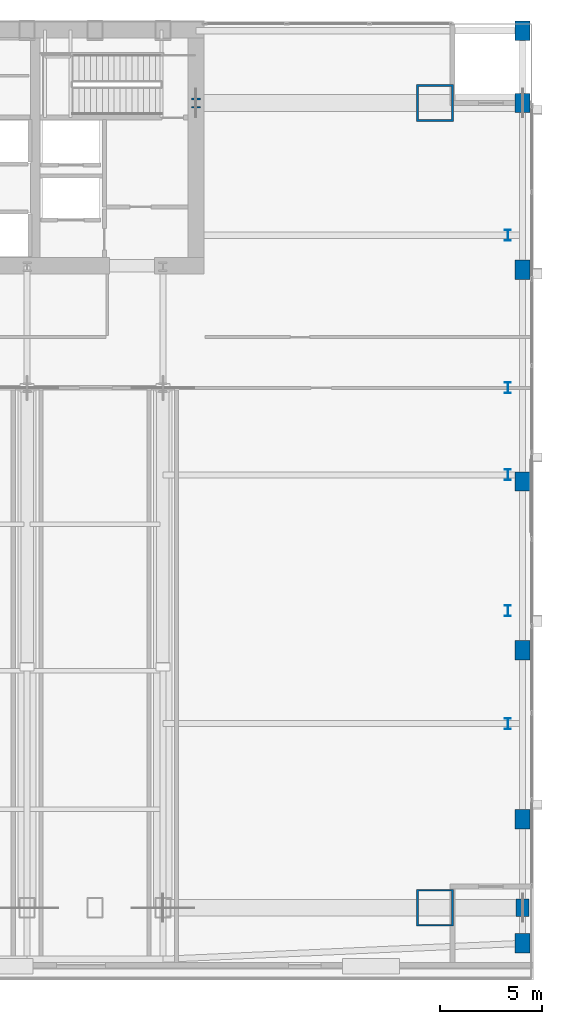
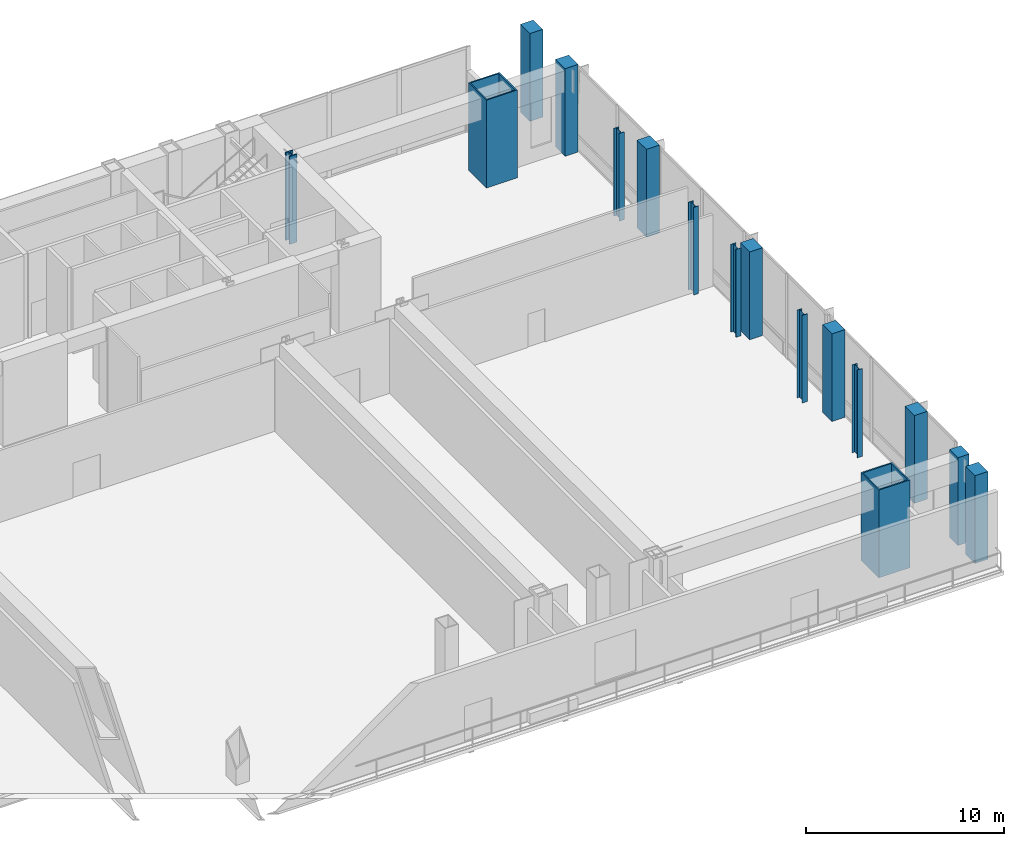
# One storey, part 4 of 26: 16 columns.
"""IFC4 building model written with IfcOpenShell, lengths in metres."""

from ifc_helpers import new_model, si_unit, direction, frame, origin, origin_2d, place, context, subcontext, project, spatial, rectangle, hollow_rectangle, i_section, extrude, material, material_profile, profile_set, type_object, element, save


model = new_model("IFC4")

# Units and contexts
model_context = context("Model", 3, precision=1e-05, world=origin(), true_north=direction((0.0, 1.0)))
body_context = subcontext(model_context, "Body", "Model", "MODEL_VIEW")
ifc_project = project(units=[si_unit("LENGTHUNIT", "METRE"), si_unit("AREAUNIT", "SQUARE_METRE"), si_unit("VOLUMEUNIT", "CUBIC_METRE"), si_unit("PLANEANGLEUNIT", "RADIAN"), si_unit("MASSUNIT", "GRAM", prefix="KILO")], contexts=[model_context])

# Site, building, storey
site_placement = place(None, origin())
site = spatial("IfcSite", under=ifc_project, at=site_placement, CompositionType="ELEMENT")
building_placement = place(site_placement, origin())
building = spatial("IfcBuilding", under=site, at=building_placement, Name="Khoronbel Lancet Exchange", CompositionType="ELEMENT")
storey_placement = place(building_placement, frame((0.0, 0.0, 20.39990234375)))
storey = spatial("IfcBuildingStorey", under=building, at=storey_placement, Name="L04", CompositionType="ELEMENT", Elevation=20.39990234375)

# Columns
ifc_material_1 = material(Name="Steel S460", Category="steel")
ifc_material_profile_1 = material_profile(ifc_material_1, i_section(OverallWidth=0.424072265625, OverallDepth=0.47412109375, WebThickness=0.047607421875, FlangeThickness=0.076904296875, at=origin_2d()), Name="HD 400x634")
ifc_profile_set_1 = profile_set([ifc_material_profile_1], Name="Steel S460")
column_type_1 = type_object("IfcColumnType", Name="COL-IC1", PredefinedType="COLUMN", material=ifc_profile_set_1)
column_1_placement = place(storey_placement, frame((56.300048828125, 49.699951171875, 0.0), z_axis=(0.0, 0.0, 1.0), x_axis=(1.0, 0.0, 0.0)))
element("IfcColumn", 1, at=column_1_placement, inside=storey, type_object=column_type_1, Name="Core-flank plumb transfer column CFE L04", PredefinedType="COLUMN", context=body_context, shape_type="SweptSolid", body=[
    extrude(i_section(OverallWidth=0.424072265625, OverallDepth=0.47412109375, WebThickness=0.047607421875, FlangeThickness=0.076904296875, at=origin_2d()), origin(), (0.0, 0.0, 1.0), 5.400146484375),
])
ifc_material_2 = material(Name="Steel S355", Category="steel")
ifc_material_profile_2 = material_profile(ifc_material_2, i_section(OverallWidth=0.300048828125, OverallDepth=0.550048828125, WebThickness=0.014892578125, FlangeThickness=0.029052734375, at=origin_2d()), Name="HEB 550")
ifc_profile_set_2 = profile_set([ifc_material_profile_2], Name="Steel S355")
column_type_2 = type_object("IfcColumnType", Name="COL-LC1", PredefinedType="COLUMN", material=ifc_profile_set_2)
for number, where, z_axis, x_axis, name in (
    (2, (71.6298828125, 19.199951171875, 0.0), (0.0, 0.0, 1.0), (1.0, 0.0, 0.0), "Structural column EC-1 L04"),
    (3, (71.6298828125, 24.75, 0.0), (0.0, 0.0, 1.0), (1.0, 0.0, 0.0), "Structural column EC-2 L04"),
    (4, (71.6298828125, 31.425048828125, 0.0), (0.0, 0.0, 1.0), (1.0, 0.0, 0.0), "Structural column EC-M L04"),
    (5, (71.6298828125, 35.699951171875, 0.0), (0.0, 0.0, 1.0), (1.0, 0.0, 0.0), "Structural column EC-3 L04"),
    (6, (71.6298828125, 43.199951171875, 0.0), (0.0, 0.0, 1.0), (1.0, 0.0, 0.0), "Structural column EC-4 L04"),
):
    element("IfcColumn", number, at=place(storey_placement, frame(where, z_axis=z_axis, x_axis=x_axis)), inside=storey, type_object=column_type_2, Name=name, PredefinedType="COLUMN", context=body_context, shape_type="SweptSolid", body=[
        extrude(i_section(OverallWidth=0.300048828125, OverallDepth=0.550048828125, WebThickness=0.014892578125, FlangeThickness=0.029052734375, at=origin_2d()), origin(), (0.0, 0.0, 1.0), 5.400146484375),
    ])
ifc_material_profile_3 = material_profile(ifc_material_1, hollow_rectangle(XDim=1.800048828125, YDim=1.800048828125, WallThickness=0.080078125, at=origin_2d()), Name="BOX 1800x1800x80")
ifc_profile_set_3 = profile_set([ifc_material_profile_3], Name="Steel S460")
column_type_3 = type_object("IfcColumnType", Name="COL-MC1", PredefinedType="COLUMN", material=ifc_profile_set_3)
for number, where, z_axis, x_axis, name in (
    (7, (68.050048828125, 10.14990234375, 0.0), (0.0, 0.0, 1.0), (1.0, 0.0, 0.0), "Structural column MC-SE L04"),
    (8, (68.050048828125, 49.699951171875, 0.0), (0.0, 0.0, 1.0), (1.0, 0.0, 0.0), "Structural column MC-NE L04"),
):
    element("IfcColumn", number, at=place(storey_placement, frame(where, z_axis=z_axis, x_axis=x_axis)), inside=storey, type_object=column_type_3, Name=name, PredefinedType="COLUMN", context=body_context, shape_type="SweptSolid", body=[
        extrude(hollow_rectangle(XDim=1.800048828125, YDim=1.800048828125, WallThickness=0.080078125, at=origin_2d()), origin(), (0.0, 0.0, 1.0), 5.400146484375),
    ])
ifc_material_3 = material(Name="Concrete C60/75", Category="concrete")
ifc_material_profile_4 = material_profile(ifc_material_3, rectangle(XDim=0.75, YDim=0.949951171875, at=origin_2d()), Name="RC 750x950")
ifc_profile_set_4 = profile_set([ifc_material_profile_4], Name="Concrete C60/75")
column_type_4 = type_object("IfcColumnType", Name="COL-PIL2", PredefinedType="PILASTER", material=ifc_profile_set_4)
for number, where, z_axis, x_axis, name in (
    (9, (72.35009765625, 8.39990234375, 0.0), (0.0, 0.0, 1.0), (1.0, 0.0, 0.0), "Podium Gothic colonnade pilaster SEP L04"),
    (10, (72.35009765625, 49.699951171875, 0.0), (0.0, 0.0, 1.0), (1.0, 0.0, 0.0), "Podium Gothic colonnade pilaster NEMC L04"),
    (11, (72.35009765625, 53.25, 0.0), (0.0, 0.0, 1.0), (1.0, 0.0, 0.0), "Podium Gothic colonnade pilaster NEP L04"),
    (12, (72.35009765625, 14.5, 0.0), (0.0, 0.0, 1.0), (1.0, 0.0, 0.0), "Podium Gothic colonnade pilaster E1 L04"),
    (13, (72.35009765625, 22.800048828125, 0.0), (0.0, 0.0, 1.0), (1.0, 0.0, 0.0), "Podium Gothic colonnade pilaster E2 L04"),
    (14, (72.35009765625, 31.10009765625, 0.0), (0.0, 0.0, 1.0), (1.0, 0.0, 0.0), "Podium Gothic colonnade pilaster E3 L04"),
    (15, (72.35009765625, 41.5, 0.0), (0.0, 0.0, 1.0), (1.0, 0.0, 0.0), "Podium Gothic colonnade pilaster E4 L04"),
):
    element("IfcColumn", number, at=place(storey_placement, frame(where, z_axis=z_axis, x_axis=x_axis)), inside=storey, type_object=column_type_4, Name=name, PredefinedType="PILASTER", context=body_context, shape_type="SweptSolid", body=[
        extrude(rectangle(XDim=0.75, YDim=0.949951171875, at=origin_2d()), origin(), (0.0, 0.0, 1.0), 5.400146484375),
    ])
ifc_material_profile_5 = material_profile(ifc_material_3, rectangle(XDim=0.64990234375, YDim=0.85009765625, at=origin_2d()), Name="RC 650x850")
ifc_profile_set_5 = profile_set([ifc_material_profile_5], Name="Concrete C60/75")
column_type_5 = type_object("IfcColumnType", Name="COL-PIL3", PredefinedType="PILASTER", material=ifc_profile_set_5)
column_2_placement = place(storey_placement, frame((72.35009765625, 10.14990234375, 0.0), z_axis=(0.0, 0.0, 1.0), x_axis=(1.0, 0.0, 0.0)))
element("IfcColumn", 16, at=column_2_placement, inside=storey, type_object=column_type_5, Name="Podium Gothic colonnade pilaster EMC L04", PredefinedType="PILASTER", context=body_context, shape_type="SweptSolid", body=[
    extrude(rectangle(XDim=0.64990234375, YDim=0.85009765625, at=origin_2d()), origin(), (0.0, 0.0, 1.0), 5.400146484375),
])

save(model, "model.ifc")
